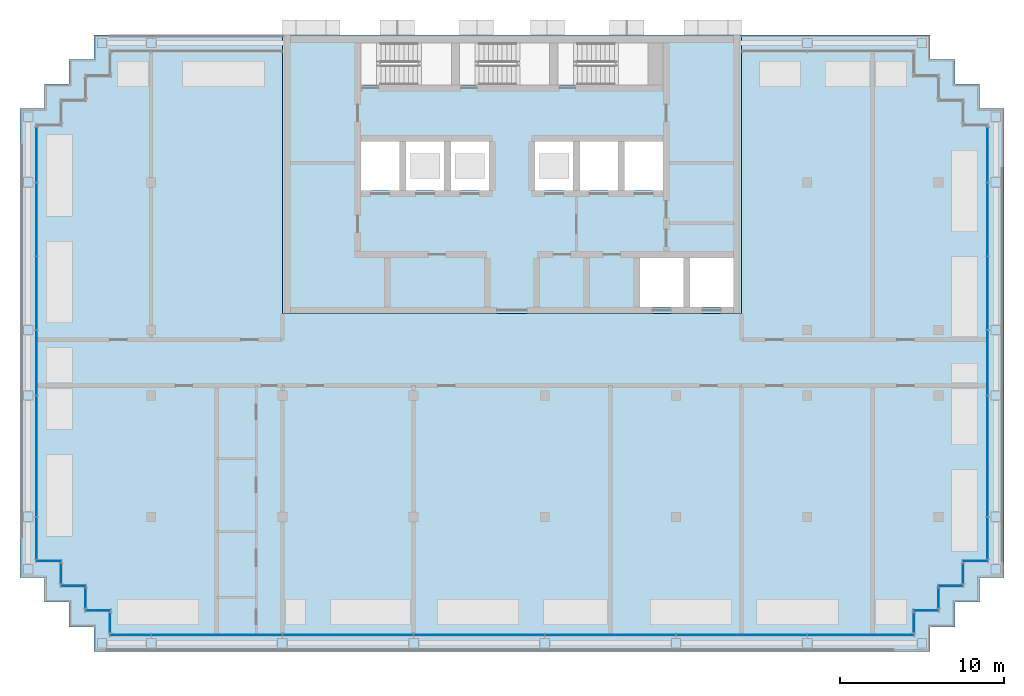
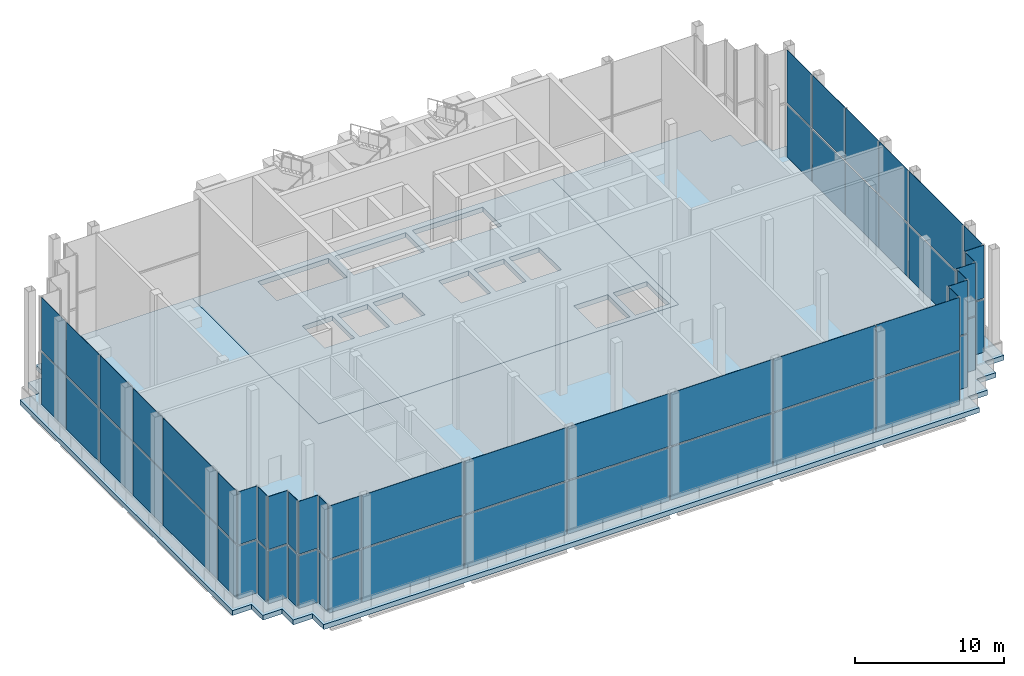
# One storey, part 6 of 15: 62 plates, 2 slabs, 15 elements without a shape of their own.
"""IFC4 building model written with IfcOpenShell, lengths in metres."""

from ifc_helpers import new_model, si_unit, direction, frame, origin, origin_2d, place, context, subcontext, project, spatial, polyline, rectangle, outline, extrude, material, layer, layer_set, type_object, element, aggregate, save


model = new_model("IFC4")

# Units and contexts
model_context = context("Model", 3, precision=1e-05, world=origin(), true_north=direction((0.0, 1.0)))
body_context = subcontext(model_context, "Body", "Model", "MODEL_VIEW")
ifc_project = project(units=[si_unit("LENGTHUNIT", "METRE"), si_unit("AREAUNIT", "SQUARE_METRE"), si_unit("VOLUMEUNIT", "CUBIC_METRE"), si_unit("PLANEANGLEUNIT", "RADIAN"), si_unit("MASSUNIT", "GRAM", prefix="KILO")], contexts=[model_context])

# Site, building, storey
site_placement = place(None, origin())
site = spatial("IfcSite", under=ifc_project, at=site_placement, CompositionType="ELEMENT")
building_placement = place(site_placement, origin())
building = spatial("IfcBuilding", under=site, at=building_placement, Name="Vidyagriha Tower", CompositionType="ELEMENT")
storey_placement = place(building_placement, frame((0.0, 0.0, 239.60009765625)))
storey = spatial("IfcBuildingStorey", under=building, at=storey_placement, Name="L63", CompositionType="ELEMENT", Elevation=239.60009765625)

# Slab
ifc_material_1 = material(Name="Concrete C60/75", Category="concrete")
ifc_layer_1 = layer(ifc_material_1, 0.39990234375)
ifc_layer_set_1 = layer_set([ifc_layer_1], Name="Concrete C60/75")
slab_type_1 = type_object("IfcSlabType", Name="Core floor slab 400 mm", PredefinedType="FLOOR", material=ifc_layer_set_1)
slab_1_placement = place(storey_placement, frame((0.0, 0.0, -0.400146484375)))
element("IfcSlab", 1, at=slab_1_placement, inside=storey, type_object=slab_type_1, Name="L63 core floor 1", PredefinedType="FLOOR", context=body_context, shape_type="SweptSolid", body=[
    extrude(outline(polyline([(-14.0, 3.0), (-14.0, 20.0), (14.0, 20.0), (14.0, 3.0), (-14.0, 3.0)]), holes=[polyline([(13.5, 6.39990234375), (10.855712890625, 6.39990234375), (10.855712890625, 3.39990234375), (13.5, 3.39990234375), (13.5, 6.39990234375)]), polyline([(7.81103515625, 6.39990234375), (7.81103515625, 3.39990234375), (10.45556640625, 3.39990234375), (10.45556640625, 6.39990234375), (7.81103515625, 6.39990234375)]), polyline([(9.199951171875, 13.5), (6.86669921875, 13.5), (6.86669921875, 10.5), (9.199951171875, 10.5), (9.199951171875, 13.5)]), polyline([(4.0, 19.5), (2.800048828125, 19.5), (2.800048828125, 16.949951171875), (4.0, 16.949951171875), (8.300048828125, 16.949951171875), (8.300048828125, 19.5), (4.0, 19.5)]), polyline([(6.466796875, 13.5), (4.13330078125, 13.5), (4.13330078125, 10.5), (6.466796875, 10.5), (6.466796875, 13.5)]), polyline([(3.7333984375, 13.5), (1.39990234375, 13.5), (1.39990234375, 10.5), (3.7333984375, 10.5), (3.7333984375, 13.5)]), polyline([(-2.0, 19.5), (-3.199951171875, 19.5), (-3.199951171875, 16.949951171875), (-2.0, 16.949951171875), (2.300048828125, 16.949951171875), (2.300048828125, 19.5), (-2.0, 19.5)]), polyline([(-1.39990234375, 13.5), (-3.7333984375, 13.5), (-3.7333984375, 10.5), (-1.39990234375, 10.5), (-1.39990234375, 13.5)]), polyline([(-8.0, 19.5), (-9.199951171875, 19.5), (-9.199951171875, 16.949951171875), (-8.0, 16.949951171875), (-3.699951171875, 16.949951171875), (-3.699951171875, 19.5), (-8.0, 19.5)]), polyline([(-4.13330078125, 13.5), (-6.466796875, 13.5), (-6.466796875, 10.5), (-4.13330078125, 10.5), (-4.13330078125, 13.5)]), polyline([(-9.199951171875, 13.5), (-9.199951171875, 10.5), (-6.86669921875, 10.5), (-6.86669921875, 13.5), (-9.199951171875, 13.5)])]), origin(), (0.0, 0.0, 1.0), 0.400146484375),
])

# Curtain wall, plates
ifc_material_2 = material(Name="Aluminium and glass curtain wall", Category="aluminium")
curtain_wall_type = type_object("IfcCurtainWallType", Name="Winter garden glazing wall", PredefinedType="USERDEFINED", material=ifc_material_2)
curtain_wall_1_placement = place(storey_placement, origin())
curtain_wall_1 = element("IfcCurtainWall", 2, at=curtain_wall_1_placement, inside=storey, type_object=curtain_wall_type, Name="CW3 winter garden glazing", ObjectType="STICK GLAZING", PredefinedType="USERDEFINED")
ifc_material_3 = material(Name="Laminated green-tint solar-control glass", Category="glass")
ifc_layer_2 = layer(ifc_material_3, 0.031982421875)
ifc_layer_set_2 = layer_set([ifc_layer_2], Name="Laminated green-tint solar-control glass")
plate_type = type_object("IfcPlateType", Name="Green-tint winter garden glass panel", PredefinedType="CURTAIN_PANEL", material=ifc_layer_set_2)
plate_1_placement = place(storey_placement, frame((-29.0, 12.68994140625, 0.0), z_axis=(0.0, 0.0, 1.0), x_axis=(0.0, -1.0, 0.0)))
plate_1 = element("IfcPlate", 3, at=plate_1_placement, type_object=plate_type, Name="CW3 panel 1.1", PredefinedType="CURTAIN_PANEL", context=body_context, shape_type="SweptSolid", body=[
    extrude(rectangle(XDim=3.300048828125, YDim=0.031982421875, at=origin_2d()), origin(), (0.0, 0.0, 1.0), 4.340087890625),
])
plate_2_placement = place(storey_placement, frame((-29.0, 12.68994140625, 4.4599609375), z_axis=(0.0, 0.0, 1.0), x_axis=(0.0, -1.0, 0.0)))
plate_2 = element("IfcPlate", 4, at=plate_2_placement, type_object=plate_type, Name="CW3 panel 1.2", PredefinedType="CURTAIN_PANEL", context=body_context, shape_type="SweptSolid", body=[
    extrude(rectangle(XDim=3.300048828125, YDim=0.031982421875, at=origin_2d()), origin(), (0.0, 0.0, 1.0), 4.340087890625),
])
plate_3_placement = place(storey_placement, frame((-29.0, 8.75, 0.0), z_axis=(0.0, 0.0, 1.0), x_axis=(0.0, -1.0, 0.0)))
plate_3 = element("IfcPlate", 5, at=plate_3_placement, type_object=plate_type, Name="CW3 panel 2.1", PredefinedType="CURTAIN_PANEL", context=body_context, shape_type="SweptSolid", body=[
    extrude(rectangle(XDim=4.419921875, YDim=0.031982421875, at=origin_2d()), origin(), (0.0, 0.0, 1.0), 4.340087890625),
])
plate_4_placement = place(storey_placement, frame((-29.0, 8.75, 4.4599609375), z_axis=(0.0, 0.0, 1.0), x_axis=(0.0, -1.0, 0.0)))
plate_4 = element("IfcPlate", 6, at=plate_4_placement, type_object=plate_type, Name="CW3 panel 2.2", PredefinedType="CURTAIN_PANEL", context=body_context, shape_type="SweptSolid", body=[
    extrude(rectangle(XDim=4.419921875, YDim=0.031982421875, at=origin_2d()), origin(), (0.0, 0.0, 1.0), 4.340087890625),
])
plate_5_placement = place(storey_placement, frame((-29.0, 4.25, 0.0), z_axis=(0.0, 0.0, 1.0), x_axis=(0.0, -1.0, 0.0)))
plate_5 = element("IfcPlate", 7, at=plate_5_placement, type_object=plate_type, Name="CW3 panel 3.1", PredefinedType="CURTAIN_PANEL", context=body_context, shape_type="SweptSolid", body=[
    extrude(rectangle(XDim=4.419921875, YDim=0.031982421875, at=origin_2d()), origin(), (0.0, 0.0, 1.0), 4.340087890625),
])
plate_6_placement = place(storey_placement, frame((-29.0, 4.25, 4.4599609375), z_axis=(0.0, 0.0, 1.0), x_axis=(0.0, -1.0, 0.0)))
plate_6 = element("IfcPlate", 8, at=plate_6_placement, type_object=plate_type, Name="CW3 panel 3.2", PredefinedType="CURTAIN_PANEL", context=body_context, shape_type="SweptSolid", body=[
    extrude(rectangle(XDim=4.419921875, YDim=0.031982421875, at=origin_2d()), origin(), (0.0, 0.0, 1.0), 4.340087890625),
])
plate_7_placement = place(storey_placement, frame((-29.0, 0.0, 0.0), z_axis=(0.0, 0.0, 1.0), x_axis=(0.0, -1.0, 0.0)))
plate_7 = element("IfcPlate", 9, at=plate_7_placement, type_object=plate_type, Name="CW3 panel 4.1", PredefinedType="CURTAIN_PANEL", context=body_context, shape_type="SweptSolid", body=[
    extrude(rectangle(XDim=3.919921875, YDim=0.031982421875, at=origin_2d()), origin(), (0.0, 0.0, 1.0), 4.340087890625),
])
plate_8_placement = place(storey_placement, frame((-29.0, 0.0, 4.4599609375), z_axis=(0.0, 0.0, 1.0), x_axis=(0.0, -1.0, 0.0)))
plate_8 = element("IfcPlate", 10, at=plate_8_placement, type_object=plate_type, Name="CW3 panel 4.2", PredefinedType="CURTAIN_PANEL", context=body_context, shape_type="SweptSolid", body=[
    extrude(rectangle(XDim=3.919921875, YDim=0.031982421875, at=origin_2d()), origin(), (0.0, 0.0, 1.0), 4.340087890625),
])
plate_9_placement = place(storey_placement, frame((-29.0, -5.699951171875, 0.0), z_axis=(0.0, 0.0, 1.0), x_axis=(0.0, -1.0, 0.0)))
plate_9 = element("IfcPlate", 11, at=plate_9_placement, type_object=plate_type, Name="CW3 panel 5.1", PredefinedType="CURTAIN_PANEL", context=body_context, shape_type="SweptSolid", body=[
    extrude(rectangle(XDim=7.320068359375, YDim=0.031982421875, at=origin_2d()), origin(), (0.0, 0.0, 1.0), 4.340087890625),
])
plate_10_placement = place(storey_placement, frame((-29.0, -5.699951171875, 4.4599609375), z_axis=(0.0, 0.0, 1.0), x_axis=(0.0, -1.0, 0.0)))
plate_10 = element("IfcPlate", 12, at=plate_10_placement, type_object=plate_type, Name="CW3 panel 5.2", PredefinedType="CURTAIN_PANEL", context=body_context, shape_type="SweptSolid", body=[
    extrude(rectangle(XDim=7.320068359375, YDim=0.031982421875, at=origin_2d()), origin(), (0.0, 0.0, 1.0), 4.340087890625),
])
plate_11_placement = place(storey_placement, frame((-29.0, -10.68994140625, 0.0), z_axis=(0.0, 0.0, 1.0), x_axis=(0.0, -1.0, 0.0)))
plate_11 = element("IfcPlate", 13, at=plate_11_placement, type_object=plate_type, Name="CW3 panel 6.1", PredefinedType="CURTAIN_PANEL", context=body_context, shape_type="SweptSolid", body=[
    extrude(rectangle(XDim=2.5, YDim=0.031982421875, at=origin_2d()), origin(), (0.0, 0.0, 1.0), 4.340087890625),
])
plate_12_placement = place(storey_placement, frame((-29.0, -10.68994140625, 4.4599609375), z_axis=(0.0, 0.0, 1.0), x_axis=(0.0, -1.0, 0.0)))
plate_12 = element("IfcPlate", 14, at=plate_12_placement, type_object=plate_type, Name="CW3 panel 6.2", PredefinedType="CURTAIN_PANEL", context=body_context, shape_type="SweptSolid", body=[
    extrude(rectangle(XDim=2.5, YDim=0.031982421875, at=origin_2d()), origin(), (0.0, 0.0, 1.0), 4.340087890625),
])
aggregate(curtain_wall_1, [plate_1, plate_2, plate_3, plate_4, plate_5, plate_6, plate_7, plate_8, plate_9, plate_10, plate_11, plate_12])

curtain_wall_2_placement = place(storey_placement, origin())
curtain_wall_2 = element("IfcCurtainWall", 15, at=curtain_wall_2_placement, inside=storey, type_object=curtain_wall_type, Name="CW3 winter garden glazing", ObjectType="STICK GLAZING", PredefinedType="USERDEFINED")
plate_13_placement = place(storey_placement, frame((-28.25, -12.10009765625, 0.0)))
plate_13 = element("IfcPlate", 16, at=plate_13_placement, type_object=plate_type, Name="CW3 panel 1.1", PredefinedType="CURTAIN_PANEL", context=body_context, shape_type="SweptSolid", body=[
    extrude(rectangle(XDim=1.5, YDim=0.031982421875, at=origin_2d()), origin(), (0.0, 0.0, 1.0), 4.340087890625),
])
plate_14_placement = place(storey_placement, frame((-28.25, -12.10009765625, 4.4599609375)))
plate_14 = element("IfcPlate", 17, at=plate_14_placement, type_object=plate_type, Name="CW3 panel 1.2", PredefinedType="CURTAIN_PANEL", context=body_context, shape_type="SweptSolid", body=[
    extrude(rectangle(XDim=1.5, YDim=0.031982421875, at=origin_2d()), origin(), (0.0, 0.0, 1.0), 4.340087890625),
])
aggregate(curtain_wall_2, [plate_13, plate_14])

curtain_wall_3_placement = place(storey_placement, origin())
curtain_wall_3 = element("IfcCurtainWall", 18, at=curtain_wall_3_placement, inside=storey, type_object=curtain_wall_type, Name="CW3 winter garden glazing", ObjectType="STICK GLAZING", PredefinedType="USERDEFINED")
plate_15_placement = place(storey_placement, frame((-27.5, -12.85009765625, 0.0), z_axis=(0.0, 0.0, 1.0), x_axis=(0.0, -1.0, 0.0)))
plate_15 = element("IfcPlate", 19, at=plate_15_placement, type_object=plate_type, Name="CW3 panel 1.1", PredefinedType="CURTAIN_PANEL", context=body_context, shape_type="SweptSolid", body=[
    extrude(rectangle(XDim=1.179931640625, YDim=0.031982421875, at=origin_2d()), origin(), (0.0, 0.0, 1.0), 4.340087890625),
])
plate_16_placement = place(storey_placement, frame((-27.5, -12.85009765625, 4.4599609375), z_axis=(0.0, 0.0, 1.0), x_axis=(0.0, -1.0, 0.0)))
plate_16 = element("IfcPlate", 20, at=plate_16_placement, type_object=plate_type, Name="CW3 panel 1.2", PredefinedType="CURTAIN_PANEL", context=body_context, shape_type="SweptSolid", body=[
    extrude(rectangle(XDim=1.179931640625, YDim=0.031982421875, at=origin_2d()), origin(), (0.0, 0.0, 1.0), 4.340087890625),
])
aggregate(curtain_wall_3, [plate_15, plate_16])

curtain_wall_4_placement = place(storey_placement, origin())
curtain_wall_4 = element("IfcCurtainWall", 21, at=curtain_wall_4_placement, inside=storey, type_object=curtain_wall_type, Name="CW3 winter garden glazing", ObjectType="STICK GLAZING", PredefinedType="USERDEFINED")
plate_17_placement = place(storey_placement, frame((-26.75, -13.60009765625, 0.0)))
plate_17 = element("IfcPlate", 22, at=plate_17_placement, type_object=plate_type, Name="CW3 panel 1.1", PredefinedType="CURTAIN_PANEL", context=body_context, shape_type="SweptSolid", body=[
    extrude(rectangle(XDim=1.5, YDim=0.031982421875, at=origin_2d()), origin(), (0.0, 0.0, 1.0), 4.340087890625),
])
plate_18_placement = place(storey_placement, frame((-26.75, -13.60009765625, 4.4599609375)))
plate_18 = element("IfcPlate", 23, at=plate_18_placement, type_object=plate_type, Name="CW3 panel 1.2", PredefinedType="CURTAIN_PANEL", context=body_context, shape_type="SweptSolid", body=[
    extrude(rectangle(XDim=1.5, YDim=0.031982421875, at=origin_2d()), origin(), (0.0, 0.0, 1.0), 4.340087890625),
])
aggregate(curtain_wall_4, [plate_17, plate_18])

curtain_wall_5_placement = place(storey_placement, origin())
curtain_wall_5 = element("IfcCurtainWall", 24, at=curtain_wall_5_placement, inside=storey, type_object=curtain_wall_type, Name="CW3 winter garden glazing", ObjectType="STICK GLAZING", PredefinedType="USERDEFINED")
plate_19_placement = place(storey_placement, frame((-26.0, -14.35009765625, 0.0), z_axis=(0.0, 0.0, 1.0), x_axis=(0.0, -1.0, 0.0)))
plate_19 = element("IfcPlate", 25, at=plate_19_placement, type_object=plate_type, Name="CW3 panel 1.1", PredefinedType="CURTAIN_PANEL", context=body_context, shape_type="SweptSolid", body=[
    extrude(rectangle(XDim=1.179931640625, YDim=0.031982421875, at=origin_2d()), origin(), (0.0, 0.0, 1.0), 4.340087890625),
])
plate_20_placement = place(storey_placement, frame((-26.0, -14.35009765625, 4.4599609375), z_axis=(0.0, 0.0, 1.0), x_axis=(0.0, -1.0, 0.0)))
plate_20 = element("IfcPlate", 26, at=plate_20_placement, type_object=plate_type, Name="CW3 panel 1.2", PredefinedType="CURTAIN_PANEL", context=body_context, shape_type="SweptSolid", body=[
    extrude(rectangle(XDim=1.179931640625, YDim=0.031982421875, at=origin_2d()), origin(), (0.0, 0.0, 1.0), 4.340087890625),
])
aggregate(curtain_wall_5, [plate_19, plate_20])

curtain_wall_6_placement = place(storey_placement, origin())
curtain_wall_6 = element("IfcCurtainWall", 27, at=curtain_wall_6_placement, inside=storey, type_object=curtain_wall_type, Name="CW3 winter garden glazing", ObjectType="STICK GLAZING", PredefinedType="USERDEFINED")
plate_21_placement = place(storey_placement, frame((-25.25, -15.10009765625, 0.0)))
plate_21 = element("IfcPlate", 28, at=plate_21_placement, type_object=plate_type, Name="CW3 panel 1.1", PredefinedType="CURTAIN_PANEL", context=body_context, shape_type="SweptSolid", body=[
    extrude(rectangle(XDim=1.5, YDim=0.031982421875, at=origin_2d()), origin(), (0.0, 0.0, 1.0), 4.340087890625),
])
plate_22_placement = place(storey_placement, frame((-25.25, -15.10009765625, 4.4599609375)))
plate_22 = element("IfcPlate", 29, at=plate_22_placement, type_object=plate_type, Name="CW3 panel 1.2", PredefinedType="CURTAIN_PANEL", context=body_context, shape_type="SweptSolid", body=[
    extrude(rectangle(XDim=1.5, YDim=0.031982421875, at=origin_2d()), origin(), (0.0, 0.0, 1.0), 4.340087890625),
])
aggregate(curtain_wall_6, [plate_21, plate_22])

curtain_wall_7_placement = place(storey_placement, origin())
curtain_wall_7 = element("IfcCurtainWall", 30, at=curtain_wall_7_placement, inside=storey, type_object=curtain_wall_type, Name="CW3 winter garden glazing", ObjectType="STICK GLAZING", PredefinedType="USERDEFINED")
plate_23_placement = place(storey_placement, frame((-24.5, -15.85009765625, 0.0), z_axis=(0.0, 0.0, 1.0), x_axis=(0.0, -1.0, 0.0)))
plate_23 = element("IfcPlate", 31, at=plate_23_placement, type_object=plate_type, Name="CW3 panel 1.1", PredefinedType="CURTAIN_PANEL", context=body_context, shape_type="SweptSolid", body=[
    extrude(rectangle(XDim=1.179931640625, YDim=0.031982421875, at=origin_2d()), origin(), (0.0, 0.0, 1.0), 4.340087890625),
])
plate_24_placement = place(storey_placement, frame((-24.5, -15.85009765625, 4.4599609375), z_axis=(0.0, 0.0, 1.0), x_axis=(0.0, -1.0, 0.0)))
plate_24 = element("IfcPlate", 32, at=plate_24_placement, type_object=plate_type, Name="CW3 panel 1.2", PredefinedType="CURTAIN_PANEL", context=body_context, shape_type="SweptSolid", body=[
    extrude(rectangle(XDim=1.179931640625, YDim=0.031982421875, at=origin_2d()), origin(), (0.0, 0.0, 1.0), 4.340087890625),
])
aggregate(curtain_wall_7, [plate_23, plate_24])

curtain_wall_8_placement = place(storey_placement, origin())
curtain_wall_8 = element("IfcCurtainWall", 33, at=curtain_wall_8_placement, inside=storey, type_object=curtain_wall_type, Name="CW3 winter garden glazing", ObjectType="STICK GLAZING", PredefinedType="USERDEFINED")
plate_25_placement = place(storey_placement, frame((-23.27001953125, -16.60009765625, 0.0)))
plate_25 = element("IfcPlate", 34, at=plate_25_placement, type_object=plate_type, Name="CW3 panel 1.1", PredefinedType="CURTAIN_PANEL", context=body_context, shape_type="SweptSolid", body=[
    extrude(rectangle(XDim=2.4599609375, YDim=0.031982421875, at=origin_2d()), origin(), (0.0, 0.0, 1.0), 4.340087890625),
])
plate_26_placement = place(storey_placement, frame((-23.27001953125, -16.60009765625, 4.4599609375)))
plate_26 = element("IfcPlate", 35, at=plate_26_placement, type_object=plate_type, Name="CW3 panel 1.2", PredefinedType="CURTAIN_PANEL", context=body_context, shape_type="SweptSolid", body=[
    extrude(rectangle(XDim=2.4599609375, YDim=0.031982421875, at=origin_2d()), origin(), (0.0, 0.0, 1.0), 4.340087890625),
])
plate_27_placement = place(storey_placement, frame((-18.0, -16.60009765625, 0.0)))
plate_27 = element("IfcPlate", 36, at=plate_27_placement, type_object=plate_type, Name="CW3 panel 2.1", PredefinedType="CURTAIN_PANEL", context=body_context, shape_type="SweptSolid", body=[
    extrude(rectangle(XDim=7.919921875, YDim=0.031982421875, at=origin_2d()), origin(), (0.0, 0.0, 1.0), 4.340087890625),
])
plate_28_placement = place(storey_placement, frame((-18.0, -16.60009765625, 4.4599609375)))
plate_28 = element("IfcPlate", 37, at=plate_28_placement, type_object=plate_type, Name="CW3 panel 2.2", PredefinedType="CURTAIN_PANEL", context=body_context, shape_type="SweptSolid", body=[
    extrude(rectangle(XDim=7.919921875, YDim=0.031982421875, at=origin_2d()), origin(), (0.0, 0.0, 1.0), 4.340087890625),
])
plate_29_placement = place(storey_placement, frame((-10.0, -16.60009765625, 0.0)))
plate_29 = element("IfcPlate", 38, at=plate_29_placement, type_object=plate_type, Name="CW3 panel 3.1", PredefinedType="CURTAIN_PANEL", context=body_context, shape_type="SweptSolid", body=[
    extrude(rectangle(XDim=7.919921875, YDim=0.031982421875, at=origin_2d()), origin(), (0.0, 0.0, 1.0), 4.340087890625),
])
plate_30_placement = place(storey_placement, frame((-10.0, -16.60009765625, 4.4599609375)))
plate_30 = element("IfcPlate", 39, at=plate_30_placement, type_object=plate_type, Name="CW3 panel 3.2", PredefinedType="CURTAIN_PANEL", context=body_context, shape_type="SweptSolid", body=[
    extrude(rectangle(XDim=7.919921875, YDim=0.031982421875, at=origin_2d()), origin(), (0.0, 0.0, 1.0), 4.340087890625),
])
plate_31_placement = place(storey_placement, frame((-2.0, -16.60009765625, 0.0)))
plate_31 = element("IfcPlate", 40, at=plate_31_placement, type_object=plate_type, Name="CW3 panel 4.1", PredefinedType="CURTAIN_PANEL", context=body_context, shape_type="SweptSolid", body=[
    extrude(rectangle(XDim=7.919921875, YDim=0.031982421875, at=origin_2d()), origin(), (0.0, 0.0, 1.0), 4.340087890625),
])
plate_32_placement = place(storey_placement, frame((-2.0, -16.60009765625, 4.4599609375)))
plate_32 = element("IfcPlate", 41, at=plate_32_placement, type_object=plate_type, Name="CW3 panel 4.2", PredefinedType="CURTAIN_PANEL", context=body_context, shape_type="SweptSolid", body=[
    extrude(rectangle(XDim=7.919921875, YDim=0.031982421875, at=origin_2d()), origin(), (0.0, 0.0, 1.0), 4.340087890625),
])
plate_33_placement = place(storey_placement, frame((6.0, -16.60009765625, 0.0)))
plate_33 = element("IfcPlate", 42, at=plate_33_placement, type_object=plate_type, Name="CW3 panel 5.1", PredefinedType="CURTAIN_PANEL", context=body_context, shape_type="SweptSolid", body=[
    extrude(rectangle(XDim=7.919921875, YDim=0.031982421875, at=origin_2d()), origin(), (0.0, 0.0, 1.0), 4.340087890625),
])
plate_34_placement = place(storey_placement, frame((6.0, -16.60009765625, 4.4599609375)))
plate_34 = element("IfcPlate", 43, at=plate_34_placement, type_object=plate_type, Name="CW3 panel 5.2", PredefinedType="CURTAIN_PANEL", context=body_context, shape_type="SweptSolid", body=[
    extrude(rectangle(XDim=7.919921875, YDim=0.031982421875, at=origin_2d()), origin(), (0.0, 0.0, 1.0), 4.340087890625),
])
plate_35_placement = place(storey_placement, frame((14.0, -16.60009765625, 0.0)))
plate_35 = element("IfcPlate", 44, at=plate_35_placement, type_object=plate_type, Name="CW3 panel 6.1", PredefinedType="CURTAIN_PANEL", context=body_context, shape_type="SweptSolid", body=[
    extrude(rectangle(XDim=7.919921875, YDim=0.031982421875, at=origin_2d()), origin(), (0.0, 0.0, 1.0), 4.340087890625),
])
plate_36_placement = place(storey_placement, frame((14.0, -16.60009765625, 4.4599609375)))
plate_36 = element("IfcPlate", 45, at=plate_36_placement, type_object=plate_type, Name="CW3 panel 6.2", PredefinedType="CURTAIN_PANEL", context=body_context, shape_type="SweptSolid", body=[
    extrude(rectangle(XDim=7.919921875, YDim=0.031982421875, at=origin_2d()), origin(), (0.0, 0.0, 1.0), 4.340087890625),
])
plate_37_placement = place(storey_placement, frame((21.27001953125, -16.60009765625, 0.0)))
plate_37 = element("IfcPlate", 46, at=plate_37_placement, type_object=plate_type, Name="CW3 panel 7.1", PredefinedType="CURTAIN_PANEL", context=body_context, shape_type="SweptSolid", body=[
    extrude(rectangle(XDim=6.4599609375, YDim=0.031982421875, at=origin_2d()), origin(), (0.0, 0.0, 1.0), 4.340087890625),
])
plate_38_placement = place(storey_placement, frame((21.27001953125, -16.60009765625, 4.4599609375)))
plate_38 = element("IfcPlate", 47, at=plate_38_placement, type_object=plate_type, Name="CW3 panel 7.2", PredefinedType="CURTAIN_PANEL", context=body_context, shape_type="SweptSolid", body=[
    extrude(rectangle(XDim=6.4599609375, YDim=0.031982421875, at=origin_2d()), origin(), (0.0, 0.0, 1.0), 4.340087890625),
])
aggregate(curtain_wall_8, [plate_25, plate_26, plate_27, plate_28, plate_29, plate_30, plate_31, plate_32, plate_33, plate_34, plate_35, plate_36, plate_37, plate_38])

curtain_wall_9_placement = place(storey_placement, origin())
curtain_wall_9 = element("IfcCurtainWall", 48, at=curtain_wall_9_placement, inside=storey, type_object=curtain_wall_type, Name="CW3 winter garden glazing", ObjectType="STICK GLAZING", PredefinedType="USERDEFINED")
plate_39_placement = place(storey_placement, frame((24.5, -15.85009765625, 0.0), z_axis=(0.0, 0.0, 1.0), x_axis=(0.0, 1.0, 0.0)))
plate_39 = element("IfcPlate", 49, at=plate_39_placement, type_object=plate_type, Name="CW3 panel 1.1", PredefinedType="CURTAIN_PANEL", context=body_context, shape_type="SweptSolid", body=[
    extrude(rectangle(XDim=1.179931640625, YDim=0.031982421875, at=origin_2d()), origin(), (0.0, 0.0, 1.0), 4.340087890625),
])
plate_40_placement = place(storey_placement, frame((24.5, -15.85009765625, 4.4599609375), z_axis=(0.0, 0.0, 1.0), x_axis=(0.0, 1.0, 0.0)))
plate_40 = element("IfcPlate", 50, at=plate_40_placement, type_object=plate_type, Name="CW3 panel 1.2", PredefinedType="CURTAIN_PANEL", context=body_context, shape_type="SweptSolid", body=[
    extrude(rectangle(XDim=1.179931640625, YDim=0.031982421875, at=origin_2d()), origin(), (0.0, 0.0, 1.0), 4.340087890625),
])
aggregate(curtain_wall_9, [plate_39, plate_40])

curtain_wall_10_placement = place(storey_placement, origin())
curtain_wall_10 = element("IfcCurtainWall", 51, at=curtain_wall_10_placement, inside=storey, type_object=curtain_wall_type, Name="CW3 winter garden glazing", ObjectType="STICK GLAZING", PredefinedType="USERDEFINED")
plate_41_placement = place(storey_placement, frame((25.25, -15.10009765625, 0.0)))
plate_41 = element("IfcPlate", 52, at=plate_41_placement, type_object=plate_type, Name="CW3 panel 1.1", PredefinedType="CURTAIN_PANEL", context=body_context, shape_type="SweptSolid", body=[
    extrude(rectangle(XDim=1.5, YDim=0.031982421875, at=origin_2d()), origin(), (0.0, 0.0, 1.0), 4.340087890625),
])
plate_42_placement = place(storey_placement, frame((25.25, -15.10009765625, 4.4599609375)))
plate_42 = element("IfcPlate", 53, at=plate_42_placement, type_object=plate_type, Name="CW3 panel 1.2", PredefinedType="CURTAIN_PANEL", context=body_context, shape_type="SweptSolid", body=[
    extrude(rectangle(XDim=1.5, YDim=0.031982421875, at=origin_2d()), origin(), (0.0, 0.0, 1.0), 4.340087890625),
])
aggregate(curtain_wall_10, [plate_41, plate_42])

curtain_wall_11_placement = place(storey_placement, origin())
curtain_wall_11 = element("IfcCurtainWall", 54, at=curtain_wall_11_placement, inside=storey, type_object=curtain_wall_type, Name="CW3 winter garden glazing", ObjectType="STICK GLAZING", PredefinedType="USERDEFINED")
plate_43_placement = place(storey_placement, frame((26.0, -14.35009765625, 0.0), z_axis=(0.0, 0.0, 1.0), x_axis=(0.0, 1.0, 0.0)))
plate_43 = element("IfcPlate", 55, at=plate_43_placement, type_object=plate_type, Name="CW3 panel 1.1", PredefinedType="CURTAIN_PANEL", context=body_context, shape_type="SweptSolid", body=[
    extrude(rectangle(XDim=1.179931640625, YDim=0.031982421875, at=origin_2d()), origin(), (0.0, 0.0, 1.0), 4.340087890625),
])
plate_44_placement = place(storey_placement, frame((26.0, -14.35009765625, 4.4599609375), z_axis=(0.0, 0.0, 1.0), x_axis=(0.0, 1.0, 0.0)))
plate_44 = element("IfcPlate", 56, at=plate_44_placement, type_object=plate_type, Name="CW3 panel 1.2", PredefinedType="CURTAIN_PANEL", context=body_context, shape_type="SweptSolid", body=[
    extrude(rectangle(XDim=1.179931640625, YDim=0.031982421875, at=origin_2d()), origin(), (0.0, 0.0, 1.0), 4.340087890625),
])
aggregate(curtain_wall_11, [plate_43, plate_44])

curtain_wall_12_placement = place(storey_placement, origin())
curtain_wall_12 = element("IfcCurtainWall", 57, at=curtain_wall_12_placement, inside=storey, type_object=curtain_wall_type, Name="CW3 winter garden glazing", ObjectType="STICK GLAZING", PredefinedType="USERDEFINED")
plate_45_placement = place(storey_placement, frame((26.75, -13.60009765625, 0.0)))
plate_45 = element("IfcPlate", 58, at=plate_45_placement, type_object=plate_type, Name="CW3 panel 1.1", PredefinedType="CURTAIN_PANEL", context=body_context, shape_type="SweptSolid", body=[
    extrude(rectangle(XDim=1.5, YDim=0.031982421875, at=origin_2d()), origin(), (0.0, 0.0, 1.0), 4.340087890625),
])
plate_46_placement = place(storey_placement, frame((26.75, -13.60009765625, 4.4599609375)))
plate_46 = element("IfcPlate", 59, at=plate_46_placement, type_object=plate_type, Name="CW3 panel 1.2", PredefinedType="CURTAIN_PANEL", context=body_context, shape_type="SweptSolid", body=[
    extrude(rectangle(XDim=1.5, YDim=0.031982421875, at=origin_2d()), origin(), (0.0, 0.0, 1.0), 4.340087890625),
])
aggregate(curtain_wall_12, [plate_45, plate_46])

curtain_wall_13_placement = place(storey_placement, origin())
curtain_wall_13 = element("IfcCurtainWall", 60, at=curtain_wall_13_placement, inside=storey, type_object=curtain_wall_type, Name="CW3 winter garden glazing", ObjectType="STICK GLAZING", PredefinedType="USERDEFINED")
plate_47_placement = place(storey_placement, frame((27.5, -12.85009765625, 0.0), z_axis=(0.0, 0.0, 1.0), x_axis=(0.0, 1.0, 0.0)))
plate_47 = element("IfcPlate", 61, at=plate_47_placement, type_object=plate_type, Name="CW3 panel 1.1", PredefinedType="CURTAIN_PANEL", context=body_context, shape_type="SweptSolid", body=[
    extrude(rectangle(XDim=1.179931640625, YDim=0.031982421875, at=origin_2d()), origin(), (0.0, 0.0, 1.0), 4.340087890625),
])
plate_48_placement = place(storey_placement, frame((27.5, -12.85009765625, 4.4599609375), z_axis=(0.0, 0.0, 1.0), x_axis=(0.0, 1.0, 0.0)))
plate_48 = element("IfcPlate", 62, at=plate_48_placement, type_object=plate_type, Name="CW3 panel 1.2", PredefinedType="CURTAIN_PANEL", context=body_context, shape_type="SweptSolid", body=[
    extrude(rectangle(XDim=1.179931640625, YDim=0.031982421875, at=origin_2d()), origin(), (0.0, 0.0, 1.0), 4.340087890625),
])
aggregate(curtain_wall_13, [plate_47, plate_48])

curtain_wall_14_placement = place(storey_placement, origin())
curtain_wall_14 = element("IfcCurtainWall", 63, at=curtain_wall_14_placement, inside=storey, type_object=curtain_wall_type, Name="CW3 winter garden glazing", ObjectType="STICK GLAZING", PredefinedType="USERDEFINED")
plate_49_placement = place(storey_placement, frame((28.25, -12.10009765625, 0.0)))
plate_49 = element("IfcPlate", 64, at=plate_49_placement, type_object=plate_type, Name="CW3 panel 1.1", PredefinedType="CURTAIN_PANEL", context=body_context, shape_type="SweptSolid", body=[
    extrude(rectangle(XDim=1.5, YDim=0.031982421875, at=origin_2d()), origin(), (0.0, 0.0, 1.0), 4.340087890625),
])
plate_50_placement = place(storey_placement, frame((28.25, -12.10009765625, 4.4599609375)))
plate_50 = element("IfcPlate", 65, at=plate_50_placement, type_object=plate_type, Name="CW3 panel 1.2", PredefinedType="CURTAIN_PANEL", context=body_context, shape_type="SweptSolid", body=[
    extrude(rectangle(XDim=1.5, YDim=0.031982421875, at=origin_2d()), origin(), (0.0, 0.0, 1.0), 4.340087890625),
])
aggregate(curtain_wall_14, [plate_49, plate_50])

curtain_wall_15_placement = place(storey_placement, origin())
curtain_wall_15 = element("IfcCurtainWall", 66, at=curtain_wall_15_placement, inside=storey, type_object=curtain_wall_type, Name="CW3 winter garden glazing", ObjectType="STICK GLAZING", PredefinedType="USERDEFINED")
plate_51_placement = place(storey_placement, frame((29.0, -10.68994140625, 0.0), z_axis=(0.0, 0.0, 1.0), x_axis=(0.0, 1.0, 0.0)))
plate_51 = element("IfcPlate", 67, at=plate_51_placement, type_object=plate_type, Name="CW3 panel 1.1", PredefinedType="CURTAIN_PANEL", context=body_context, shape_type="SweptSolid", body=[
    extrude(rectangle(XDim=2.5, YDim=0.031982421875, at=origin_2d()), origin(), (0.0, 0.0, 1.0), 4.340087890625),
])
plate_52_placement = place(storey_placement, frame((29.0, -10.68994140625, 4.4599609375), z_axis=(0.0, 0.0, 1.0), x_axis=(0.0, 1.0, 0.0)))
plate_52 = element("IfcPlate", 68, at=plate_52_placement, type_object=plate_type, Name="CW3 panel 1.2", PredefinedType="CURTAIN_PANEL", context=body_context, shape_type="SweptSolid", body=[
    extrude(rectangle(XDim=2.5, YDim=0.031982421875, at=origin_2d()), origin(), (0.0, 0.0, 1.0), 4.340087890625),
])
plate_53_placement = place(storey_placement, frame((29.0, -5.699951171875, 0.0), z_axis=(0.0, 0.0, 1.0), x_axis=(0.0, 1.0, 0.0)))
plate_53 = element("IfcPlate", 69, at=plate_53_placement, type_object=plate_type, Name="CW3 panel 2.1", PredefinedType="CURTAIN_PANEL", context=body_context, shape_type="SweptSolid", body=[
    extrude(rectangle(XDim=7.320068359375, YDim=0.031982421875, at=origin_2d()), origin(), (0.0, 0.0, 1.0), 4.340087890625),
])
plate_54_placement = place(storey_placement, frame((29.0, -5.699951171875, 4.4599609375), z_axis=(0.0, 0.0, 1.0), x_axis=(0.0, 1.0, 0.0)))
plate_54 = element("IfcPlate", 70, at=plate_54_placement, type_object=plate_type, Name="CW3 panel 2.2", PredefinedType="CURTAIN_PANEL", context=body_context, shape_type="SweptSolid", body=[
    extrude(rectangle(XDim=7.320068359375, YDim=0.031982421875, at=origin_2d()), origin(), (0.0, 0.0, 1.0), 4.340087890625),
])
plate_55_placement = place(storey_placement, frame((29.0, 0.0, 0.0), z_axis=(0.0, 0.0, 1.0), x_axis=(0.0, 1.0, 0.0)))
plate_55 = element("IfcPlate", 71, at=plate_55_placement, type_object=plate_type, Name="CW3 panel 3.1", PredefinedType="CURTAIN_PANEL", context=body_context, shape_type="SweptSolid", body=[
    extrude(rectangle(XDim=3.919921875, YDim=0.031982421875, at=origin_2d()), origin(), (0.0, 0.0, 1.0), 4.340087890625),
])
plate_56_placement = place(storey_placement, frame((29.0, 0.0, 4.4599609375), z_axis=(0.0, 0.0, 1.0), x_axis=(0.0, 1.0, 0.0)))
plate_56 = element("IfcPlate", 72, at=plate_56_placement, type_object=plate_type, Name="CW3 panel 3.2", PredefinedType="CURTAIN_PANEL", context=body_context, shape_type="SweptSolid", body=[
    extrude(rectangle(XDim=3.919921875, YDim=0.031982421875, at=origin_2d()), origin(), (0.0, 0.0, 1.0), 4.340087890625),
])
plate_57_placement = place(storey_placement, frame((29.0, 4.25, 0.0), z_axis=(0.0, 0.0, 1.0), x_axis=(0.0, 1.0, 0.0)))
plate_57 = element("IfcPlate", 73, at=plate_57_placement, type_object=plate_type, Name="CW3 panel 4.1", PredefinedType="CURTAIN_PANEL", context=body_context, shape_type="SweptSolid", body=[
    extrude(rectangle(XDim=4.419921875, YDim=0.031982421875, at=origin_2d()), origin(), (0.0, 0.0, 1.0), 4.340087890625),
])
plate_58_placement = place(storey_placement, frame((29.0, 4.25, 4.4599609375), z_axis=(0.0, 0.0, 1.0), x_axis=(0.0, 1.0, 0.0)))
plate_58 = element("IfcPlate", 74, at=plate_58_placement, type_object=plate_type, Name="CW3 panel 4.2", PredefinedType="CURTAIN_PANEL", context=body_context, shape_type="SweptSolid", body=[
    extrude(rectangle(XDim=4.419921875, YDim=0.031982421875, at=origin_2d()), origin(), (0.0, 0.0, 1.0), 4.340087890625),
])
plate_59_placement = place(storey_placement, frame((29.0, 8.75, 0.0), z_axis=(0.0, 0.0, 1.0), x_axis=(0.0, 1.0, 0.0)))
plate_59 = element("IfcPlate", 75, at=plate_59_placement, type_object=plate_type, Name="CW3 panel 5.1", PredefinedType="CURTAIN_PANEL", context=body_context, shape_type="SweptSolid", body=[
    extrude(rectangle(XDim=4.419921875, YDim=0.031982421875, at=origin_2d()), origin(), (0.0, 0.0, 1.0), 4.340087890625),
])
plate_60_placement = place(storey_placement, frame((29.0, 8.75, 4.4599609375), z_axis=(0.0, 0.0, 1.0), x_axis=(0.0, 1.0, 0.0)))
plate_60 = element("IfcPlate", 76, at=plate_60_placement, type_object=plate_type, Name="CW3 panel 5.2", PredefinedType="CURTAIN_PANEL", context=body_context, shape_type="SweptSolid", body=[
    extrude(rectangle(XDim=4.419921875, YDim=0.031982421875, at=origin_2d()), origin(), (0.0, 0.0, 1.0), 4.340087890625),
])
plate_61_placement = place(storey_placement, frame((29.0, 12.68994140625, 0.0), z_axis=(0.0, 0.0, 1.0), x_axis=(0.0, 1.0, 0.0)))
plate_61 = element("IfcPlate", 77, at=plate_61_placement, type_object=plate_type, Name="CW3 panel 6.1", PredefinedType="CURTAIN_PANEL", context=body_context, shape_type="SweptSolid", body=[
    extrude(rectangle(XDim=3.300048828125, YDim=0.031982421875, at=origin_2d()), origin(), (0.0, 0.0, 1.0), 4.340087890625),
])
plate_62_placement = place(storey_placement, frame((29.0, 12.68994140625, 4.4599609375), z_axis=(0.0, 0.0, 1.0), x_axis=(0.0, 1.0, 0.0)))
plate_62 = element("IfcPlate", 78, at=plate_62_placement, type_object=plate_type, Name="CW3 panel 6.2", PredefinedType="CURTAIN_PANEL", context=body_context, shape_type="SweptSolid", body=[
    extrude(rectangle(XDim=3.300048828125, YDim=0.031982421875, at=origin_2d()), origin(), (0.0, 0.0, 1.0), 4.340087890625),
])
aggregate(curtain_wall_15, [plate_51, plate_52, plate_53, plate_54, plate_55, plate_56, plate_57, plate_58, plate_59, plate_60, plate_61, plate_62])

# Slab
ifc_material_4 = material(Name="Concrete C50/60", Category="concrete")
ifc_layer_3 = layer(ifc_material_4, 0.39990234375)
ifc_layer_set_3 = layer_set([ifc_layer_3], Name="Concrete C50/60")
slab_type_2 = type_object("IfcSlabType", Name="Post-tensioned flat plate 400", PredefinedType="FLOOR", material=ifc_layer_set_3)
slab_2_placement = place(storey_placement, frame((0.0, 0.0, -0.400146484375)))
element("IfcSlab", 79, at=slab_2_placement, inside=storey, type_object=slab_type_2, Name="st-slab-L63-1", PredefinedType="FLOOR", context=body_context, shape_type="SweptSolid", body=[
    extrude(outline(polyline([(28.5, -13.10009765625), (28.5, -14.60009765625), (27.0, -14.60009765625), (27.0, -16.10009765625), (25.5, -16.10009765625), (25.5, -17.60009765625), (-25.5, -17.60009765625), (-25.5, -16.10009765625), (-27.0, -16.10009765625), (-27.0, -14.60009765625), (-28.5, -14.60009765625), (-28.5, -13.10009765625), (-30.0, -13.10009765625), (-30.0, 15.5), (-28.5, 15.5), (-28.5, 17.0), (-27.0, 17.0), (-27.0, 18.5), (-25.5, 18.5), (-25.5, 20.0), (-14.0, 20.0), (-14.0, 3.0), (14.0, 3.0), (14.0, 20.0), (25.5, 20.0), (25.5, 18.5), (27.0, 18.5), (27.0, 17.0), (28.5, 17.0), (28.5, 15.5), (30.0, 15.5), (30.0, -13.10009765625), (28.5, -13.10009765625)])), origin(), (0.0, 0.0, 1.0), 0.400146484375),
])

save(model, "model.ifc")
